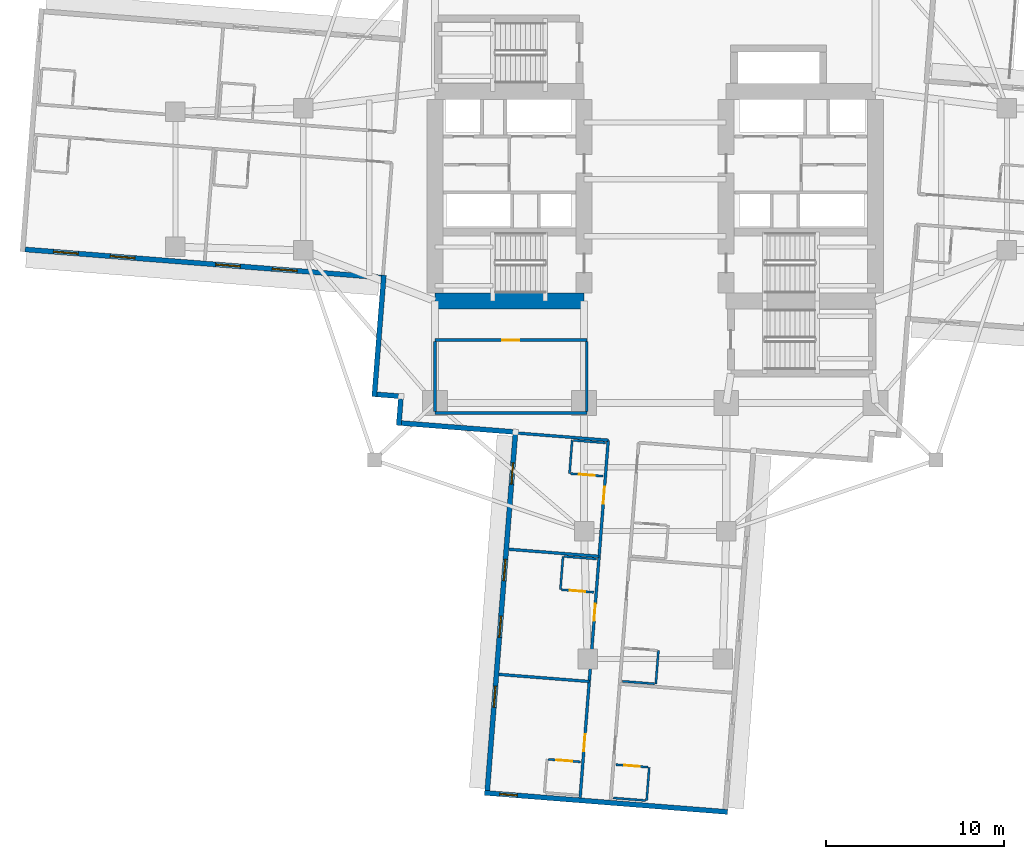
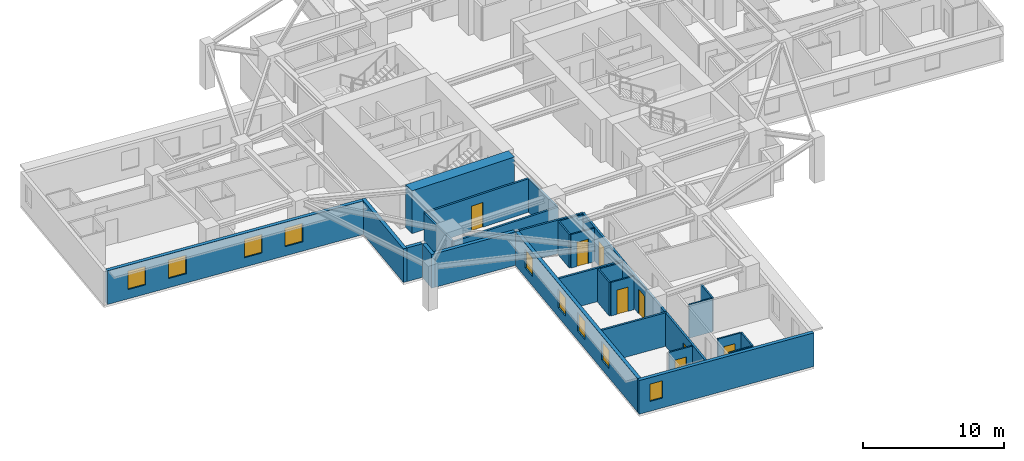
# One storey, part 3 of 14: 28 walls, 9 windows, 8 doors, 17 openings.
"""IFC4 building model written with IfcOpenShell, lengths in metres."""

import ifcopenshell
import ifcopenshell.guid

model = None  # the IFC model being written
_history = None  # IfcOwnerHistory: only IFC2X3 demands one
_inside = {}  # id of a spatial element -> (the spatial element, [elements in it])
_under = {}  # id of a project, library or spatial element -> (it, [spatial elements below it])
_declared = {}  # id of a project -> (the project, [libraries it declares])
_typed = {}  # id of a type object -> (the type object, [elements of that type])
_made_of = {}  # id of a material, layer set ... -> (it, [elements and type objects made of it])


def new_model(schema):
    """Start an empty IFC model of exactly this schema.

    Asked for "IFC4X3", IfcOpenShell would pick the latest addendum, in which some entities
    have other attributes; the version numbers below select the first issue.
    IFC2X3 requires an IfcOwnerHistory on every rooted entity: one is made here for all.
    """
    global model, _history
    if schema == "IFC4X3":
        model = ifcopenshell.file(schema_version=(4, 3, 0, 0))
    else:
        model = ifcopenshell.file(schema=schema)
    _inside.clear()
    _under.clear()
    _declared.clear()
    _typed.clear()
    _made_of.clear()
    _history = None
    if model.schema == "IFC2X3":
        org = make("IfcOrganization", Name="unknown")
        user = make(
            "IfcPersonAndOrganization",
            ThePerson=make("IfcPerson", FamilyName="unknown"),
            TheOrganization=org,
        )
        app = make(
            "IfcApplication",
            ApplicationDeveloper=org,
            Version="unknown",
            ApplicationFullName="unknown",
            ApplicationIdentifier="unknown",
        )
        _history = make(
            "IfcOwnerHistory",
            OwningUser=user,
            OwningApplication=app,
            ChangeAction="ADDED",
            CreationDate=0,
        )
    return model


def make(cls, **values):
    """One entity of the class cls with the attributes given. An attribute that is None is left unset."""
    return model.create_entity(
        cls, **{name: value for name, value in values.items() if value is not None}
    )


def rooted(cls, **values):
    """An entity with a GlobalId (a new one), such as an element, a storey or a relation."""
    return make(cls, GlobalId=ifcopenshell.guid.new(), OwnerHistory=_history, **values)


def si_unit(unit_type, name, prefix=None):
    """IfcSIUnit, for example si_unit("LENGTHUNIT", "METRE", prefix="MILLI")."""
    return make("IfcSIUnit", UnitType=unit_type, Prefix=prefix, Name=name)


def assignment(units):
    """IfcUnitAssignment: the units of a project."""
    return None if units is None else make("IfcUnitAssignment", Units=units)


def point(xyz):
    """IfcCartesianPoint."""
    return None if xyz is None else make("IfcCartesianPoint", Coordinates=xyz)


def direction(xyz):
    """IfcDirection."""
    return None if xyz is None else make("IfcDirection", DirectionRatios=xyz)


def frame(location, z_axis=None, x_axis=None):
    """IfcAxis2Placement3D, a coordinate frame: its origin and axes. An axis left out is left unset."""
    return make(
        "IfcAxis2Placement3D",
        Location=point(location),
        Axis=direction(z_axis),
        RefDirection=direction(x_axis),
    )


def frame_2d(location, x_axis=None):
    """IfcAxis2Placement2D, a coordinate frame in the plane: its origin and x axis."""
    return make(
        "IfcAxis2Placement2D", Location=point(location), RefDirection=direction(x_axis)
    )


def origin():
    """The frame at (0, 0, 0) with its axes left unset."""
    return frame((0.0, 0.0, 0.0))


def place(relative_to, where):
    """IfcLocalPlacement: puts the frame where relative to a parent placement (None: the world)."""
    return make(
        "IfcLocalPlacement", PlacementRelTo=relative_to, RelativePlacement=where
    )


def context(
    kind, dimensions, precision=None, world=None, true_north=None, identifier=None
):
    """IfcGeometricRepresentationContext, for example the 3D "Model" context."""
    return make(
        "IfcGeometricRepresentationContext",
        ContextIdentifier=identifier,
        ContextType=kind,
        CoordinateSpaceDimension=dimensions,
        Precision=precision,
        WorldCoordinateSystem=world,
        TrueNorth=true_north,
    )


def subcontext(parent, identifier, kind, view, scale=None):
    """IfcGeometricRepresentationSubContext, for example "Body" below "Model"."""
    return make(
        "IfcGeometricRepresentationSubContext",
        ContextIdentifier=identifier,
        ContextType=kind,
        ParentContext=parent,
        TargetScale=scale,
        TargetView=view,
    )


def project(units=None, contexts=None):
    """IfcProject with its units and contexts."""
    return rooted(
        "IfcProject",
        Name="project",
        RepresentationContexts=contexts,
        UnitsInContext=assignment(units),
    )


def spatial(cls, under=None, at=None, **own):
    """A site, building, storey or space (cls), placed at a placement, below another one or the project."""
    s = rooted(cls, ObjectPlacement=at, **own)
    if under is not None:
        _under.setdefault(under.id(), (under, []))[1].append(s)
    return s


def profile(cls, at=None, kind="AREA", **sizes):
    """A parametric profile (cls). Its sizes go by their IFC names, for example OverallWidth=200.0."""
    return make(cls, ProfileType=kind, Position=at, **sizes)


def rectangle(**sizes):
    """IfcRectangleProfileDef."""
    return profile("IfcRectangleProfileDef", **sizes)


def extrude(swept, where, along, depth):
    """IfcExtrudedAreaSolid: the profile swept, set in the frame where, extruded along a direction by depth."""
    return make(
        "IfcExtrudedAreaSolid",
        SweptArea=swept,
        Position=where,
        ExtrudedDirection=direction(along),
        Depth=depth,
    )


def shape(context_of_items, identifier, shape_type, items):
    """IfcShapeRepresentation: the items that make up one representation, for example the "Body"."""
    return make(
        "IfcShapeRepresentation",
        ContextOfItems=context_of_items,
        RepresentationIdentifier=identifier,
        RepresentationType=shape_type,
        Items=items,
    )


def material(Name=None, Category=None):
    """IfcMaterial."""
    return make("IfcMaterial", Name=Name, Category=Category)


def layer(
    of_material, thickness, ventilated=None, Name=None, Category=None, Priority=None
):
    """IfcMaterialLayer: one layer of a wall or slab, of a material (None: an air gap)."""
    return make(
        "IfcMaterialLayer",
        Material=of_material,
        LayerThickness=thickness,
        IsVentilated=ventilated,
        Name=Name,
        Category=Category,
        Priority=Priority,
    )


def layer_set(layers, Name=None):
    """IfcMaterialLayerSet."""
    return make("IfcMaterialLayerSet", MaterialLayers=layers, LayerSetName=Name)


def made_of(thing, what):
    """Note that an element or type object is made of a material, layer set ...; save() writes the relation."""
    if what is not None:
        _made_of.setdefault(what.id(), (what, []))[1].append(thing)
    return thing


def type_object(cls, material=None, **own):
    """A type object (cls), such as IfcWallType, which elements share."""
    return made_of(rooted(cls, **own), material)


def element(
    cls,
    number,
    at=None,
    inside=None,
    cuts=None,
    type_object=None,
    material=None,
    context=None,
    identifier="Body",
    shape_type=None,
    held_by="IfcProductDefinitionShape",
    body=None,
    shapes=None,
    **own,
):
    """One element of the class cls, such as IfcWall. Its Tag is "e" and its number.

    at: its placement. inside: the storey or other place that contains it. cuts: it is an
    opening in that element (IfcRelVoidsElement). A single representation is given by context,
    identifier, shape_type and body (its items); several are given by shapes. held_by: the class
    of the entity that holds the representations. save() writes the other relations.
    """
    e = rooted(cls, Tag="e%d" % number, ObjectPlacement=at, **own)
    if body is not None:
        shapes = [shape(context, identifier, shape_type, body)]
    if shapes is not None:
        e.Representation = make(held_by, Representations=shapes)
    if inside is not None:
        _inside.setdefault(inside.id(), (inside, []))[1].append(e)
    if cuts is not None:
        rooted(
            "IfcRelVoidsElement", RelatingBuildingElement=cuts, RelatedOpeningElement=e
        )
    if type_object is not None:
        _typed.setdefault(type_object.id(), (type_object, []))[1].append(e)
    return made_of(e, material)


def fill(opening, filler):
    """IfcRelFillsElement: the door or window that sits in an opening."""
    return rooted(
        "IfcRelFillsElement",
        RelatingOpeningElement=opening,
        RelatedBuildingElement=filler,
    )


def aggregate(whole, parts):
    """IfcRelAggregates: a whole, such as a stair, and the parts it consists of."""
    return rooted("IfcRelAggregates", RelatingObject=whole, RelatedObjects=parts)


def save(model, path):
    """Write the relations noted so far, then the file.

    IfcRelAggregates (storeys below a building ...), IfcRelContainedInSpatialStructure (elements
    in a storey), IfcRelDefinesByType, IfcRelAssociatesMaterial and IfcRelDeclares: one each for
    every whole, place, type object, material and project.
    """
    for whole, parts in _under.values():
        aggregate(whole, parts)
    for where, things in _inside.values():
        rooted(
            "IfcRelContainedInSpatialStructure",
            RelatedElements=things,
            RelatingStructure=where,
        )
    for kind, things in _typed.values():
        rooted("IfcRelDefinesByType", RelatedObjects=things, RelatingType=kind)
    for what, things in _made_of.values():
        rooted("IfcRelAssociatesMaterial", RelatedObjects=things, RelatingMaterial=what)
    for by, libraries in _declared.values():
        rooted("IfcRelDeclares", RelatingContext=by, RelatedDefinitions=libraries)
    model.write(path)


model = new_model("IFC4")

# Units and contexts
model_context = context("Model", 3, precision=1e-05, world=origin(), true_north=direction((0.0, 1.0)))
body_context = subcontext(model_context, "Body", "Model", "MODEL_VIEW")
ifc_project = project(units=[si_unit("LENGTHUNIT", "METRE"), si_unit("AREAUNIT", "SQUARE_METRE"), si_unit("VOLUMEUNIT", "CUBIC_METRE"), si_unit("PLANEANGLEUNIT", "RADIAN"), si_unit("MASSUNIT", "GRAM", prefix="KILO")], contexts=[model_context])

# Site, building, storey
site_placement = place(None, origin())
site = spatial("IfcSite", under=ifc_project, at=site_placement, CompositionType="ELEMENT")
building_placement = place(site_placement, origin())
building = spatial("IfcBuilding", under=site, at=building_placement, Name="Qingluan Cross Belvedere", CompositionType="ELEMENT")
storey_placement = place(building_placement, frame((0.0, 0.0, 83.39990234375)))
storey = spatial("IfcBuildingStorey", under=building, at=storey_placement, Name="L21", CompositionType="ELEMENT", Elevation=83.39990234375)

# Walls
ifc_material_1 = material(Name="Concrete C70", Category="concrete")
ifc_layer_1 = layer(ifc_material_1, 0.89990234375, Name="CoreShearWall_900")
ifc_layer_set_1 = layer_set([ifc_layer_1], Name="Concrete C70")
wall_type_1 = type_object("IfcWallType", Name="CoreShearWall_900", PredefinedType="SHEAR", material=ifc_layer_set_1)
wall_1_placement = place(storey_placement, frame((-12.39990234375, -6.85009765625, 0.0), z_axis=(0.0, 0.0, 1.0), x_axis=(1.0, 0.0, 0.0)))
element("IfcWall", 1, at=wall_1_placement, inside=storey, type_object=wall_type_1, Name="Split core W shear wall L21-S", PredefinedType="SHEAR", context=body_context, shape_type="SweptSolid", body=[
    extrude(rectangle(XDim=8.39990234375, YDim=0.89990234375, at=frame_2d((4.199951171875, 0.0))), origin(), (0.0, 0.0, 1.0), 3.7001953125),
])
ifc_material_2 = material(Name="Gypsum plasterboard on steel stud acoustic partition", Category="steel")
ifc_layer_2 = layer(ifc_material_2, 0.159912109375, Name="CorridorPartition_160")
ifc_layer_set_2 = layer_set([ifc_layer_2], Name="Gypsum plasterboard on steel stud acoustic partition")
wall_type_2 = type_object("IfcWallType", Name="CorridorPartition_160", PredefinedType="PARTITIONING", material=ifc_layer_set_2)
wall_2_placement = place(storey_placement, frame((-12.39990234375, -13.14990234375, 0.0), z_axis=(0.0, 0.0, 1.0), x_axis=(1.0, 0.0, 0.0)))
element("IfcWall", 2, at=wall_2_placement, inside=storey, type_object=wall_type_2, Name="Partition L21:q_sw:S", PredefinedType="PARTITIONING", context=body_context, shape_type="SweptSolid", body=[
    extrude(rectangle(XDim=8.5498046875, YDim=0.159912109375, at=frame_2d((4.27490234375, 0.0))), origin(), (0.0, 0.0, 1.0), 2.900146484375),
])

# Wall, opening, door
wall_3_placement = place(storey_placement, frame((-12.39990234375, -9.050048828125, 0.0), z_axis=(0.0, 0.0, 1.0), x_axis=(1.0, 0.0, 0.0)))
wall_3 = element("IfcWall", 3, at=wall_3_placement, inside=storey, type_object=wall_type_2, Name="Partition L21:q_sw:N", PredefinedType="PARTITIONING", context=body_context, shape_type="SweptSolid", body=[
    extrude(rectangle(XDim=8.5498046875, YDim=0.159912109375, at=frame_2d((4.27490234375, 0.0))), origin(), (0.0, 0.0, 1.0), 2.900146484375),
])
opening_1_placement = place(wall_3_placement, frame((3.794921875, 0.0, 0.0)))
opening_1 = element("IfcOpeningElement", 4, at=opening_1_placement, cuts=wall_3, Name="Opening GD-10", PredefinedType="OPENING", context=body_context, shape_type="SweptSolid", body=[
    extrude(rectangle(XDim=0.9599609375, YDim=2.14990234375, at=frame_2d((0.47998046875, 1.074951171875))), frame((0.0, 0.08984375, 0.0), z_axis=(0.0, -1.0, 0.0), x_axis=(1.0, 0.0, 0.0)), (0.0, 0.0, 1.0), 0.179931640625),
])
ifc_material_3 = material(Name="Timber oak fire-rated acoustic guestroom door", Category="wood")
door_type_1 = type_object("IfcDoorType", Name="GuestEntryDoor_FD60", OperationType="NOTDEFINED", PredefinedType="DOOR", material=ifc_material_3)
door_1_placement = place(opening_1_placement, origin())
door_1 = element("IfcDoor", 5, at=door_1_placement, inside=storey, type_object=door_type_1, Name="Calligraphy study room L21 door", OperationType="SINGLE_SWING_RIGHT", OverallHeight=2.14990234375, OverallWidth=0.9599609375, PredefinedType="DOOR", context=body_context, shape_type="SweptSolid", body=[
    extrude(rectangle(XDim=0.9599609375, YDim=2.14990234375, at=frame_2d((0.47998046875, 1.074951171875))), frame((0.0, 0.02490234375, 0.0), z_axis=(0.0, -1.0, 0.0), x_axis=(1.0, 0.0, 0.0)), (0.0, 0.0, 1.0), 0.050048828125),
])
fill(opening_1, door_1)

# Walls
for number, where, z_axis, x_axis, name in (
    (6, (-12.39990234375, -13.06494140625, 0.0), (0.0, 0.0, 1.0), (0.0, 1.0, 0.0), "Partition L21:q_sw:W"),
    (7, (-3.85009765625, -13.06494140625, 0.0), (0.0, 0.0, 1.0), (0.0, 1.0, 0.0), "Partition L21:q_sw:E"),
):
    element("IfcWall", number, at=place(storey_placement, frame(where, z_axis=z_axis, x_axis=x_axis)), inside=storey, type_object=wall_type_2, Name=name, PredefinedType="PARTITIONING", context=body_context, shape_type="SweptSolid", body=[
        extrude(rectangle(XDim=3.929931640625, YDim=0.159912109375, at=frame_2d((1.96484375, 0.0))), origin(), (0.0, 0.0, 1.0), 2.900146484375),
    ])

# Wall, openings, doors
wall_4_placement = place(storey_placement, frame((-2.640625, -14.68798828125, 0.0), z_axis=(0.0, 0.0, 1.0), x_axis=(-0.078460461943, -0.996917226209, 0.0)))
wall_4 = element("IfcWall", 8, at=wall_4_placement, inside=storey, type_object=wall_type_2, Name="Partition L21:S:c1", PredefinedType="PARTITIONING", context=body_context, shape_type="SweptSolid", body=[
    extrude(rectangle(XDim=20.18212890625, YDim=0.159912109375, at=frame_2d((10.091064453125, 0.0))), origin(), (0.0, 0.0, 1.0), 2.900146484375),
])
opening_2_placement = place(wall_4_placement, frame((2.635986328125, 0.0, 0.0)))
opening_2 = element("IfcOpeningElement", 9, at=opening_2_placement, cuts=wall_4, Name="Opening GD-10", PredefinedType="OPENING", context=body_context, shape_type="SweptSolid", body=[
    extrude(rectangle(XDim=0.9599609375, YDim=2.14990234375, at=frame_2d((0.47998046875, 1.074951171875))), frame((0.0, 0.08984375, 0.0), z_axis=(0.0, -1.0, 0.0), x_axis=(1.0, 0.0, 0.0)), (0.0, 0.0, 1.0), 0.179931640625),
])
opening_3_placement = place(wall_4_placement, frame((9.242919921875, 0.0, 0.0)))
opening_3 = element("IfcOpeningElement", 10, at=opening_3_placement, cuts=wall_4, Name="Opening GD-10", PredefinedType="OPENING", context=body_context, shape_type="SweptSolid", body=[
    extrude(rectangle(XDim=0.9599609375, YDim=2.14990234375, at=frame_2d((0.47998046875, 1.074951171875))), frame((0.0, 0.08984375, 0.0), z_axis=(0.0, -1.0, 0.0), x_axis=(1.0, 0.0, 0.0)), (0.0, 0.0, 1.0), 0.179931640625),
])
opening_4_placement = place(wall_4_placement, frame((16.611083984375, 0.0, 0.0)))
opening_4 = element("IfcOpeningElement", 11, at=opening_4_placement, cuts=wall_4, Name="Opening GD-10", PredefinedType="OPENING", context=body_context, shape_type="SweptSolid", body=[
    extrude(rectangle(XDim=0.9599609375, YDim=2.14990234375, at=frame_2d((0.47998046875, 1.074951171875))), frame((0.0, 0.08984375, 0.0), z_axis=(0.0, -1.0, 0.0), x_axis=(1.0, 0.0, 0.0)), (0.0, 0.0, 1.0), 0.179931640625),
])
door_2_placement = place(opening_2_placement, origin())
door_2 = element("IfcDoor", 12, at=door_2_placement, inside=storey, type_object=door_type_1, Name="Guest entry fire door 2116", OperationType="SINGLE_SWING_LEFT", OverallHeight=2.14990234375, OverallWidth=0.9599609375, PredefinedType="DOOR", context=body_context, shape_type="SweptSolid", body=[
    extrude(rectangle(XDim=0.9599609375, YDim=2.14990234375, at=frame_2d((0.47998046875, 1.074951171875))), frame((0.0, 0.02490234375, 0.0), z_axis=(0.0, -1.0, 0.0), x_axis=(1.0, 0.0, 0.0)), (0.0, 0.0, 1.0), 0.050048828125),
])
fill(opening_2, door_2)
door_3_placement = place(opening_3_placement, origin())
door_3 = element("IfcDoor", 13, at=door_3_placement, inside=storey, type_object=door_type_1, Name="Guest entry fire door 2117", OperationType="SINGLE_SWING_LEFT", OverallHeight=2.14990234375, OverallWidth=0.9599609375, PredefinedType="DOOR", context=body_context, shape_type="SweptSolid", body=[
    extrude(rectangle(XDim=0.9599609375, YDim=2.14990234375, at=frame_2d((0.47998046875, 1.074951171875))), frame((0.0, 0.02490234375, 0.0), z_axis=(0.0, -1.0, 0.0), x_axis=(1.0, 0.0, 0.0)), (0.0, 0.0, 1.0), 0.050048828125),
])
fill(opening_3, door_3)
door_4_placement = place(opening_4_placement, origin())
door_4 = element("IfcDoor", 14, at=door_4_placement, inside=storey, type_object=door_type_1, Name="Guest entry fire door 2118", OperationType="SINGLE_SWING_LEFT", OverallHeight=2.14990234375, OverallWidth=0.9599609375, PredefinedType="DOOR", context=body_context, shape_type="SweptSolid", body=[
    extrude(rectangle(XDim=0.9599609375, YDim=2.14990234375, at=frame_2d((0.47998046875, 1.074951171875))), frame((0.0, 0.02490234375, 0.0), z_axis=(0.0, -1.0, 0.0), x_axis=(1.0, 0.0, 0.0)), (0.0, 0.0, 1.0), 0.050048828125),
])
fill(opening_4, door_4)

# Walls
wall_5_placement = place(storey_placement, frame((-2.640625, -14.68798828125, 0.0), z_axis=(0.0, 0.0, 1.0), x_axis=(-0.996920905616, 0.078413697441, 0.0)))
element("IfcWall", 15, at=wall_5_placement, inside=storey, type_object=wall_type_2, Name="Partition L21:S:s1", PredefinedType="PARTITIONING", context=body_context, shape_type="SweptSolid", body=[
    extrude(rectangle(XDim=5.239990234375, YDim=0.159912109375, at=frame_2d((2.6201171875, 0.0))), origin(), (0.0, 0.0, 1.0), 2.900146484375),
])
for number, where, z_axis, x_axis, name in (
    (16, (-3.15478515625, -21.223876953125, 0.0), (0.0, 0.0, 1.0), (-0.996919000774, 0.078437911089, 0.0), "Partition L21:S:d1_0"),
    (17, (-3.709228515625, -28.26708984375, 0.0), (0.0, 0.0, 1.0), (-0.996919000774, 0.078437911089, 0.0), "Partition L21:S:d1_1"),
):
    element("IfcWall", number, at=place(storey_placement, frame(where, z_axis=z_axis, x_axis=x_axis)), inside=storey, type_object=wall_type_2, Name=name, PredefinedType="PARTITIONING", context=body_context, shape_type="SweptSolid", body=[
        extrude(rectangle(XDim=5.092041015625, YDim=0.159912109375, at=frame_2d((2.5458984375, 0.0))), origin(), (0.0, 0.0, 1.0), 2.900146484375),
    ])
ifc_material_4 = material(Name="Moisture-resistant gypsum board lining")
ifc_layer_3 = layer(ifc_material_4, 0.1201171875, Name="EnsuiteWetPartition_120")
ifc_layer_set_3 = layer_set([ifc_layer_3], Name="Moisture-resistant gypsum board lining")
wall_type_3 = type_object("IfcWallType", Name="EnsuiteWetPartition_120", PredefinedType="PARTITIONING", material=ifc_layer_set_3)
wall_6_placement = place(storey_placement, frame((-1.84228515625, -28.25341796875, 0.0), z_axis=(0.0, 0.0, 1.0), x_axis=(0.996915574626, -0.078481444107, 0.0)))
element("IfcWall", 18, at=wall_6_placement, inside=storey, type_object=wall_type_3, Name="Partition L21:S:bw0_1", PredefinedType="PARTITIONING", context=body_context, shape_type="SweptSolid", body=[
    extrude(rectangle(XDim=1.81982421875, YDim=0.1201171875, at=frame_2d((0.909912109375, 0.0))), origin(), (0.0, 0.0, 1.0), 2.900146484375),
])
wall_7_placement = place(storey_placement, frame((0.184326171875, -26.527099609375, 0.0), z_axis=(0.0, 0.0, 1.0), x_axis=(-0.07843418698, -0.996919293781, 0.0)))
element("IfcWall", 19, at=wall_7_placement, inside=storey, type_object=wall_type_3, Name="Partition L21:S:bn0_1", PredefinedType="PARTITIONING", context=body_context, shape_type="SweptSolid", body=[
    extrude(rectangle(XDim=1.880126953125, YDim=0.1201171875, at=frame_2d((0.93994140625, 0.0))), origin(), (0.0, 0.0, 1.0), 2.900146484375),
])

# Wall, opening, door
wall_8_placement = place(storey_placement, frame((-2.2119140625, -32.947998046875, 0.0), z_axis=(0.0, 0.0, 1.0), x_axis=(0.996916400774, -0.0784709492, 0.0)))
wall_8 = element("IfcWall", 20, at=wall_8_placement, inside=storey, type_object=wall_type_3, Name="Partition L21:S:bs0_2", PredefinedType="PARTITIONING", context=body_context, shape_type="SweptSolid", body=[
    extrude(rectangle(XDim=1.820068359375, YDim=0.1201171875, at=frame_2d((0.91015625, 0.0))), origin(), (0.0, 0.0, 1.0), 2.900146484375),
])
opening_5_placement = place(wall_8_placement, frame((0.469970703125, 0.0, 0.0)))
opening_5 = element("IfcOpeningElement", 21, at=opening_5_placement, cuts=wall_8, Name="Opening BD-09", PredefinedType="OPENING", context=body_context, shape_type="SweptSolid", body=[
    extrude(rectangle(XDim=0.8798828125, YDim=2.10009765625, at=frame_2d((0.43994140625, 1.050048828125))), frame((0.0, 0.070068359375, 0.0), z_axis=(0.0, -1.0, 0.0), x_axis=(1.0, 0.0, 0.0)), (0.0, 0.0, 1.0), 0.14013671875),
])
ifc_material_5 = material(Name="Moisture-sealed timber en-suite door", Category="wood")
door_type_2 = type_object("IfcDoorType", Name="BathroomDoor_880", OperationType="NOTDEFINED", PredefinedType="DOOR", material=ifc_material_5)
door_5_placement = place(opening_5_placement, origin())
door_5 = element("IfcDoor", 22, at=door_5_placement, inside=storey, type_object=door_type_2, Name="Bathroom door 2115", OperationType="SINGLE_SWING_RIGHT", OverallHeight=2.10009765625, OverallWidth=0.8798828125, PredefinedType="DOOR", context=body_context, shape_type="SweptSolid", body=[
    extrude(rectangle(XDim=0.8798828125, YDim=2.10009765625, at=frame_2d((0.43994140625, 1.050048828125))), frame((0.0, 0.02490234375, 0.0), z_axis=(0.0, -1.0, 0.0), x_axis=(1.0, 0.0, 0.0)), (0.0, 0.0, 1.0), 0.050048828125),
])
fill(opening_5, door_5)

# Walls
wall_9_placement = place(storey_placement, frame((-2.359375, -34.822265625, 0.0), z_axis=(0.0, 0.0, 1.0), x_axis=(0.996916400774, -0.0784709492, 0.0)))
element("IfcWall", 23, at=wall_9_placement, inside=storey, type_object=wall_type_3, Name="Partition L21:S:bw0_2", PredefinedType="PARTITIONING", context=body_context, shape_type="SweptSolid", body=[
    extrude(rectangle(XDim=1.820068359375, YDim=0.1201171875, at=frame_2d((0.91015625, 0.0))), origin(), (0.0, 0.0, 1.0), 2.900146484375),
])
wall_10_placement = place(storey_placement, frame((-0.332763671875, -33.095947265625, 0.0), z_axis=(0.0, 0.0, 1.0), x_axis=(-0.07843418698, -0.996919293781, 0.0)))
element("IfcWall", 24, at=wall_10_placement, inside=storey, type_object=wall_type_3, Name="Partition L21:S:bn0_2", PredefinedType="PARTITIONING", context=body_context, shape_type="SweptSolid", body=[
    extrude(rectangle(XDim=1.880126953125, YDim=0.1201171875, at=frame_2d((0.93994140625, 0.0))), origin(), (0.0, 0.0, 1.0), 2.900146484375),
])

# Wall, opening, door
wall_11_placement = place(storey_placement, frame((-4.754638671875, -16.568115234375, 0.0), z_axis=(0.0, 0.0, 1.0), x_axis=(0.996926885478, -0.078337634704, 0.0)))
wall_11 = element("IfcWall", 25, at=wall_11_placement, inside=storey, type_object=wall_type_3, Name="Partition L21:S:bs1_0", PredefinedType="PARTITIONING", context=body_context, shape_type="SweptSolid", body=[
    extrude(rectangle(XDim=1.820068359375, YDim=0.1201171875, at=frame_2d((0.91015625, 0.0))), origin(), (0.0, 0.0, 1.0), 2.900146484375),
])
opening_6_placement = place(wall_11_placement, frame((0.469970703125, 0.0, 0.0)))
opening_6 = element("IfcOpeningElement", 26, at=opening_6_placement, cuts=wall_11, Name="Opening BD-09", PredefinedType="OPENING", context=body_context, shape_type="SweptSolid", body=[
    extrude(rectangle(XDim=0.8798828125, YDim=2.10009765625, at=frame_2d((0.43994140625, 1.050048828125))), frame((0.0, 0.070068359375, 0.0), z_axis=(0.0, -1.0, 0.0), x_axis=(1.0, 0.0, 0.0)), (0.0, 0.0, 1.0), 0.14013671875),
])
door_6_placement = place(opening_6_placement, origin())
door_6 = element("IfcDoor", 27, at=door_6_placement, inside=storey, type_object=door_type_2, Name="Bathroom door 2116", OperationType="SINGLE_SWING_RIGHT", OverallHeight=2.10009765625, OverallWidth=0.8798828125, PredefinedType="DOOR", context=body_context, shape_type="SweptSolid", body=[
    extrude(rectangle(XDim=0.8798828125, YDim=2.10009765625, at=frame_2d((0.43994140625, 1.050048828125))), frame((0.0, 0.02490234375, 0.0), z_axis=(0.0, -1.0, 0.0), x_axis=(1.0, 0.0, 0.0)), (0.0, 0.0, 1.0), 0.050048828125),
])
fill(opening_6, door_6)

# Walls
wall_12_placement = place(storey_placement, frame((-4.607177734375, -14.69384765625, 0.0), z_axis=(0.0, 0.0, 1.0), x_axis=(0.996916400774, -0.0784709492, 0.0)))
element("IfcWall", 28, at=wall_12_placement, inside=storey, type_object=wall_type_3, Name="Partition L21:S:bw1_0", PredefinedType="PARTITIONING", context=body_context, shape_type="SweptSolid", body=[
    extrude(rectangle(XDim=1.820068359375, YDim=0.1201171875, at=frame_2d((0.91015625, 0.0))), origin(), (0.0, 0.0, 1.0), 2.900146484375),
])
wall_13_placement = place(storey_placement, frame((-4.671875, -14.688720703125, 0.0), z_axis=(0.0, 0.0, 1.0), x_axis=(-0.07843418698, -0.996919293781, 0.0)))
element("IfcWall", 29, at=wall_13_placement, inside=storey, type_object=wall_type_3, Name="Partition L21:S:bc1_0", PredefinedType="PARTITIONING", context=body_context, shape_type="SweptSolid", body=[
    extrude(rectangle(XDim=1.880126953125, YDim=0.1201171875, at=frame_2d((0.93994140625, 0.0))), origin(), (0.0, 0.0, 1.0), 2.900146484375),
])

# Wall, opening, door
wall_14_placement = place(storey_placement, frame((-5.268798828125, -23.103759765625, 0.0), z_axis=(0.0, 0.0, 1.0), x_axis=(0.996915574626, -0.078481444107, 0.0)))
wall_14 = element("IfcWall", 30, at=wall_14_placement, inside=storey, type_object=wall_type_3, Name="Partition L21:S:bs1_1", PredefinedType="PARTITIONING", context=body_context, shape_type="SweptSolid", body=[
    extrude(rectangle(XDim=1.81982421875, YDim=0.1201171875, at=frame_2d((0.909912109375, 0.0))), origin(), (0.0, 0.0, 1.0), 2.900146484375),
])
opening_7_placement = place(wall_14_placement, frame((0.469970703125, 0.0, 0.0)))
opening_7 = element("IfcOpeningElement", 31, at=opening_7_placement, cuts=wall_14, Name="Opening BD-09", PredefinedType="OPENING", context=body_context, shape_type="SweptSolid", body=[
    extrude(rectangle(XDim=0.8798828125, YDim=2.10009765625, at=frame_2d((0.43994140625, 1.050048828125))), frame((0.0, 0.070068359375, 0.0), z_axis=(0.0, -1.0, 0.0), x_axis=(1.0, 0.0, 0.0)), (0.0, 0.0, 1.0), 0.14013671875),
])
door_7_placement = place(opening_7_placement, origin())
door_7 = element("IfcDoor", 32, at=door_7_placement, inside=storey, type_object=door_type_2, Name="Bathroom door 2117", OperationType="SINGLE_SWING_RIGHT", OverallHeight=2.10009765625, OverallWidth=0.8798828125, PredefinedType="DOOR", context=body_context, shape_type="SweptSolid", body=[
    extrude(rectangle(XDim=0.8798828125, YDim=2.10009765625, at=frame_2d((0.43994140625, 1.050048828125))), frame((0.0, 0.02490234375, 0.0), z_axis=(0.0, -1.0, 0.0), x_axis=(1.0, 0.0, 0.0)), (0.0, 0.0, 1.0), 0.050048828125),
])
fill(opening_7, door_7)

# Walls
wall_15_placement = place(storey_placement, frame((-5.121337890625, -21.2294921875, 0.0), z_axis=(0.0, 0.0, 1.0), x_axis=(0.996915574626, -0.078481444107, 0.0)))
element("IfcWall", 33, at=wall_15_placement, inside=storey, type_object=wall_type_3, Name="Partition L21:S:bw1_1", PredefinedType="PARTITIONING", context=body_context, shape_type="SweptSolid", body=[
    extrude(rectangle(XDim=1.81982421875, YDim=0.1201171875, at=frame_2d((0.909912109375, 0.0))), origin(), (0.0, 0.0, 1.0), 2.900146484375),
])
wall_16_placement = place(storey_placement, frame((-5.186279296875, -21.224609375, 0.0), z_axis=(0.0, 0.0, 1.0), x_axis=(-0.078444342213, -0.99691849475, 0.0)))
element("IfcWall", 34, at=wall_16_placement, inside=storey, type_object=wall_type_3, Name="Partition L21:S:bc1_1", PredefinedType="PARTITIONING", context=body_context, shape_type="SweptSolid", body=[
    extrude(rectangle(XDim=1.8798828125, YDim=0.1201171875, at=frame_2d((0.93994140625, 0.0))), origin(), (0.0, 0.0, 1.0), 2.900146484375),
])

# Wall, opening, door
wall_17_placement = place(storey_placement, frame((-6.02001953125, -32.648193359375, 0.0), z_axis=(0.0, 0.0, 1.0), x_axis=(0.996915574626, -0.078481444107, 0.0)))
wall_17 = element("IfcWall", 35, at=wall_17_placement, inside=storey, type_object=wall_type_3, Name="Partition L21:S:bs1_2", PredefinedType="PARTITIONING", context=body_context, shape_type="SweptSolid", body=[
    extrude(rectangle(XDim=1.81982421875, YDim=0.1201171875, at=frame_2d((0.909912109375, 0.0))), origin(), (0.0, 0.0, 1.0), 2.900146484375),
])
opening_8_placement = place(wall_17_placement, frame((0.469970703125, 0.0, 0.0)))
opening_8 = element("IfcOpeningElement", 36, at=opening_8_placement, cuts=wall_17, Name="Opening BD-09", PredefinedType="OPENING", context=body_context, shape_type="SweptSolid", body=[
    extrude(rectangle(XDim=0.8798828125, YDim=2.10009765625, at=frame_2d((0.43994140625, 1.050048828125))), frame((0.0, 0.070068359375, 0.0), z_axis=(0.0, -1.0, 0.0), x_axis=(1.0, 0.0, 0.0)), (0.0, 0.0, 1.0), 0.14013671875),
])
door_8_placement = place(opening_8_placement, origin())
door_8 = element("IfcDoor", 37, at=door_8_placement, inside=storey, type_object=door_type_2, Name="Bathroom door 2118", OperationType="SINGLE_SWING_RIGHT", OverallHeight=2.10009765625, OverallWidth=0.8798828125, PredefinedType="DOOR", context=body_context, shape_type="SweptSolid", body=[
    extrude(rectangle(XDim=0.8798828125, YDim=2.10009765625, at=frame_2d((0.43994140625, 1.050048828125))), frame((0.0, 0.02490234375, 0.0), z_axis=(0.0, -1.0, 0.0), x_axis=(1.0, 0.0, 0.0)), (0.0, 0.0, 1.0), 0.050048828125),
])
fill(opening_8, door_8)

# Wall, openings, windows
ifc_material_6 = material(Name="Precast concrete C45", Category="concrete")
ifc_layer_4 = layer(ifc_material_6, 0.280029296875, Name="PrecastFacadeWall_280")
ifc_layer_set_4 = layer_set([ifc_layer_4], Name="Precast concrete C45")
wall_type_4 = type_object("IfcWallType", Name="PrecastFacadeWall_280", PredefinedType="STANDARD", material=ifc_layer_set_4)
wall_18_placement = place(storey_placement, frame((-35.459228515625, -3.9501953125, 0.0), z_axis=(0.0, 0.0, 1.0), x_axis=(0.996917828963, -0.078452802979, 0.0)))
wall_18 = element("IfcWall", 38, at=wall_18_placement, inside=storey, type_object=wall_type_4, Name="Facade wall L21-WB", PredefinedType="STANDARD", context=body_context, shape_type="SweptSolid", body=[
    extrude(rectangle(XDim=20.10009765625, YDim=0.280029296875, at=frame_2d((10.050048828125, 0.0))), origin(), (0.0, 0.0, 1.0), 2.91015625),
])
opening_9_placement = place(wall_18_placement, frame((1.60009765625, 0.0, 0.800048828125)))
opening_9 = element("IfcOpeningElement", 39, at=opening_9_placement, cuts=wall_18, Name="Opening W-01", PredefinedType="OPENING", context=body_context, shape_type="SweptSolid", body=[
    extrude(rectangle(XDim=1.39990234375, YDim=1.60009765625, at=frame_2d((0.699951171875, 0.800048828125))), frame((0.0, 0.14990234375, 0.0), z_axis=(0.0, -1.0, 0.0), x_axis=(1.0, 0.0, 0.0)), (0.0, 0.0, 1.0), 0.300048828125),
])
opening_10_placement = place(wall_18_placement, frame((4.800048828125, 0.0, 0.800048828125)))
opening_10 = element("IfcOpeningElement", 40, at=opening_10_placement, cuts=wall_18, Name="Opening W-01", PredefinedType="OPENING", context=body_context, shape_type="SweptSolid", body=[
    extrude(rectangle(XDim=1.39990234375, YDim=1.60009765625, at=frame_2d((0.699951171875, 0.800048828125))), frame((0.0, 0.14990234375, 0.0), z_axis=(0.0, -1.0, 0.0), x_axis=(1.0, 0.0, 0.0)), (0.0, 0.0, 1.0), 0.300048828125),
])
opening_11_placement = place(wall_18_placement, frame((10.75, 0.0, 0.800048828125)))
opening_11 = element("IfcOpeningElement", 41, at=opening_11_placement, cuts=wall_18, Name="Opening W-01", PredefinedType="OPENING", context=body_context, shape_type="SweptSolid", body=[
    extrude(rectangle(XDim=1.39990234375, YDim=1.60009765625, at=frame_2d((0.699951171875, 0.800048828125))), frame((0.0, 0.14990234375, 0.0), z_axis=(0.0, -1.0, 0.0), x_axis=(1.0, 0.0, 0.0)), (0.0, 0.0, 1.0), 0.300048828125),
])
opening_12_placement = place(wall_18_placement, frame((13.949951171875, 0.0, 0.800048828125)))
opening_12 = element("IfcOpeningElement", 42, at=opening_12_placement, cuts=wall_18, Name="Opening W-01", PredefinedType="OPENING", context=body_context, shape_type="SweptSolid", body=[
    extrude(rectangle(XDim=1.39990234375, YDim=1.60009765625, at=frame_2d((0.699951171875, 0.800048828125))), frame((0.0, 0.14990234375, 0.0), z_axis=(0.0, -1.0, 0.0), x_axis=(1.0, 0.0, 0.0)), (0.0, 0.0, 1.0), 0.300048828125),
])
ifc_material_7 = material(Name="Thermally broken triple Low-E glass in aluminium frame", Category="aluminium")
window_type_1 = type_object("IfcWindowType", Name="TriRibbonWin_1400x1600", PartitioningType="SINGLE_PANEL", PredefinedType="WINDOW", material=ifc_material_7)
window_1_placement = place(opening_9_placement, origin())
window_1 = element("IfcWindow", 43, at=window_1_placement, inside=storey, type_object=window_type_1, Name="Ribbon window L21-WB-1", OverallHeight=1.60009765625, OverallWidth=1.39990234375, PartitioningType="SINGLE_PANEL", PredefinedType="WINDOW", context=body_context, shape_type="SweptSolid", body=[
    extrude(rectangle(XDim=1.39990234375, YDim=1.60009765625, at=frame_2d((0.699951171875, 0.800048828125))), frame((0.0, 0.030029296875, 0.0), z_axis=(0.0, -1.0, 0.0), x_axis=(1.0, 0.0, 0.0)), (0.0, 0.0, 1.0), 0.06005859375),
])
fill(opening_9, window_1)
window_2_placement = place(opening_10_placement, origin())
window_2 = element("IfcWindow", 44, at=window_2_placement, inside=storey, type_object=window_type_1, Name="Ribbon window L21-WB-2", OverallHeight=1.60009765625, OverallWidth=1.39990234375, PartitioningType="SINGLE_PANEL", PredefinedType="WINDOW", context=body_context, shape_type="SweptSolid", body=[
    extrude(rectangle(XDim=1.39990234375, YDim=1.60009765625, at=frame_2d((0.699951171875, 0.800048828125))), frame((0.0, 0.030029296875, 0.0), z_axis=(0.0, -1.0, 0.0), x_axis=(1.0, 0.0, 0.0)), (0.0, 0.0, 1.0), 0.06005859375),
])
fill(opening_10, window_2)
window_3_placement = place(opening_11_placement, origin())
window_3 = element("IfcWindow", 45, at=window_3_placement, inside=storey, type_object=window_type_1, Name="Ribbon window L21-WB-3", OverallHeight=1.60009765625, OverallWidth=1.39990234375, PartitioningType="SINGLE_PANEL", PredefinedType="WINDOW", context=body_context, shape_type="SweptSolid", body=[
    extrude(rectangle(XDim=1.39990234375, YDim=1.60009765625, at=frame_2d((0.699951171875, 0.800048828125))), frame((0.0, 0.030029296875, 0.0), z_axis=(0.0, -1.0, 0.0), x_axis=(1.0, 0.0, 0.0)), (0.0, 0.0, 1.0), 0.06005859375),
])
fill(opening_11, window_3)
window_4_placement = place(opening_12_placement, origin())
window_4 = element("IfcWindow", 46, at=window_4_placement, inside=storey, type_object=window_type_1, Name="Ribbon window L21-WB-4", OverallHeight=1.60009765625, OverallWidth=1.39990234375, PartitioningType="SINGLE_PANEL", PredefinedType="WINDOW", context=body_context, shape_type="SweptSolid", body=[
    extrude(rectangle(XDim=1.39990234375, YDim=1.60009765625, at=frame_2d((0.699951171875, 0.800048828125))), frame((0.0, 0.030029296875, 0.0), z_axis=(0.0, -1.0, 0.0), x_axis=(1.0, 0.0, 0.0)), (0.0, 0.0, 1.0), 0.06005859375),
])
fill(opening_12, window_4)

wall_19_placement = place(storey_placement, frame((-7.87158203125, -14.36669921875, 0.0), z_axis=(0.0, 0.0, 1.0), x_axis=(-0.078452802979, -0.996917828963, 0.0)))
wall_19 = element("IfcWall", 47, at=wall_19_placement, inside=storey, type_object=wall_type_4, Name="Facade wall L21-SA", PredefinedType="STANDARD", context=body_context, shape_type="SweptSolid", body=[
    extrude(rectangle(XDim=20.10009765625, YDim=0.280029296875, at=frame_2d((10.050048828125, 0.0))), origin(), (0.0, 0.0, 1.0), 2.91015625),
])
opening_13_placement = place(wall_19_placement, frame((1.60009765625, 0.0, 0.800048828125)))
opening_13 = element("IfcOpeningElement", 48, at=opening_13_placement, cuts=wall_19, Name="Opening W-02", PredefinedType="OPENING", context=body_context, shape_type="SweptSolid", body=[
    extrude(rectangle(XDim=1.199951171875, YDim=1.60009765625, at=frame_2d((0.60009765625, 0.800048828125))), frame((0.0, 0.14990234375, 0.0), z_axis=(0.0, -1.0, 0.0), x_axis=(1.0, 0.0, 0.0)), (0.0, 0.0, 1.0), 0.300048828125),
])
opening_14_placement = place(wall_19_placement, frame((7.050048828125, 0.0, 0.800048828125)))
opening_14 = element("IfcOpeningElement", 49, at=opening_14_placement, cuts=wall_19, Name="Opening W-02", PredefinedType="OPENING", context=body_context, shape_type="SweptSolid", body=[
    extrude(rectangle(XDim=1.199951171875, YDim=1.60009765625, at=frame_2d((0.60009765625, 0.800048828125))), frame((0.0, 0.14990234375, 0.0), z_axis=(0.0, -1.0, 0.0), x_axis=(1.0, 0.0, 0.0)), (0.0, 0.0, 1.0), 0.300048828125),
])
opening_15_placement = place(wall_19_placement, frame((10.25, 0.0, 0.800048828125)))
opening_15 = element("IfcOpeningElement", 50, at=opening_15_placement, cuts=wall_19, Name="Opening W-02", PredefinedType="OPENING", context=body_context, shape_type="SweptSolid", body=[
    extrude(rectangle(XDim=1.199951171875, YDim=1.60009765625, at=frame_2d((0.60009765625, 0.800048828125))), frame((0.0, 0.14990234375, 0.0), z_axis=(0.0, -1.0, 0.0), x_axis=(1.0, 0.0, 0.0)), (0.0, 0.0, 1.0), 0.300048828125),
])
opening_16_placement = place(wall_19_placement, frame((14.199951171875, 0.0, 0.800048828125)))
opening_16 = element("IfcOpeningElement", 51, at=opening_16_placement, cuts=wall_19, Name="Opening W-02", PredefinedType="OPENING", context=body_context, shape_type="SweptSolid", body=[
    extrude(rectangle(XDim=1.199951171875, YDim=1.60009765625, at=frame_2d((0.60009765625, 0.800048828125))), frame((0.0, 0.14990234375, 0.0), z_axis=(0.0, -1.0, 0.0), x_axis=(1.0, 0.0, 0.0)), (0.0, 0.0, 1.0), 0.300048828125),
])
ifc_material_8 = material(Name="Thermally broken triple Low-E glass in aluminium frame", Category="aluminium")
window_type_2 = type_object("IfcWindowType", Name="TriRibbonWin_1200x1600", PartitioningType="SINGLE_PANEL", PredefinedType="WINDOW", material=ifc_material_8)
window_5_placement = place(opening_13_placement, origin())
window_5 = element("IfcWindow", 52, at=window_5_placement, inside=storey, type_object=window_type_2, Name="Ribbon window L21-SA-1", OverallHeight=1.60009765625, OverallWidth=1.199951171875, PartitioningType="SINGLE_PANEL", PredefinedType="WINDOW", context=body_context, shape_type="SweptSolid", body=[
    extrude(rectangle(XDim=1.199951171875, YDim=1.60009765625, at=frame_2d((0.60009765625, 0.800048828125))), frame((0.0, 0.030029296875, 0.0), z_axis=(0.0, -1.0, 0.0), x_axis=(1.0, 0.0, 0.0)), (0.0, 0.0, 1.0), 0.06005859375),
])
fill(opening_13, window_5)
window_6_placement = place(opening_14_placement, origin())
window_6 = element("IfcWindow", 53, at=window_6_placement, inside=storey, type_object=window_type_2, Name="Ribbon window L21-SA-2", OverallHeight=1.60009765625, OverallWidth=1.199951171875, PartitioningType="SINGLE_PANEL", PredefinedType="WINDOW", context=body_context, shape_type="SweptSolid", body=[
    extrude(rectangle(XDim=1.199951171875, YDim=1.60009765625, at=frame_2d((0.60009765625, 0.800048828125))), frame((0.0, 0.030029296875, 0.0), z_axis=(0.0, -1.0, 0.0), x_axis=(1.0, 0.0, 0.0)), (0.0, 0.0, 1.0), 0.06005859375),
])
fill(opening_14, window_6)
window_7_placement = place(opening_15_placement, origin())
window_7 = element("IfcWindow", 54, at=window_7_placement, inside=storey, type_object=window_type_2, Name="Ribbon window L21-SA-3", OverallHeight=1.60009765625, OverallWidth=1.199951171875, PartitioningType="SINGLE_PANEL", PredefinedType="WINDOW", context=body_context, shape_type="SweptSolid", body=[
    extrude(rectangle(XDim=1.199951171875, YDim=1.60009765625, at=frame_2d((0.60009765625, 0.800048828125))), frame((0.0, 0.030029296875, 0.0), z_axis=(0.0, -1.0, 0.0), x_axis=(1.0, 0.0, 0.0)), (0.0, 0.0, 1.0), 0.06005859375),
])
fill(opening_15, window_7)
window_8_placement = place(opening_16_placement, origin())
window_8 = element("IfcWindow", 55, at=window_8_placement, inside=storey, type_object=window_type_2, Name="Ribbon window L21-SA-4", OverallHeight=1.60009765625, OverallWidth=1.199951171875, PartitioningType="SINGLE_PANEL", PredefinedType="WINDOW", context=body_context, shape_type="SweptSolid", body=[
    extrude(rectangle(XDim=1.199951171875, YDim=1.60009765625, at=frame_2d((0.60009765625, 0.800048828125))), frame((0.0, 0.030029296875, 0.0), z_axis=(0.0, -1.0, 0.0), x_axis=(1.0, 0.0, 0.0)), (0.0, 0.0, 1.0), 0.06005859375),
])
fill(opening_16, window_8)

# Wall, opening, window
wall_20_placement = place(storey_placement, frame((-9.59912109375, -34.533203125, 0.0), z_axis=(0.0, 0.0, 1.0), x_axis=(0.996916198482, -0.078473519122, 0.0)))
wall_20 = element("IfcWall", 56, at=wall_20_placement, inside=storey, type_object=wall_type_4, Name="Arm tip precast facade wall L21-S", PredefinedType="STANDARD", context=body_context, shape_type="SweptSolid", body=[
    extrude(rectangle(XDim=13.719970703125, YDim=0.280029296875, at=frame_2d((6.85986328125, 0.0))), origin(), (0.0, 0.0, 1.0), 2.91015625),
])
opening_17_placement = place(wall_20_placement, frame((0.85009765625, 0.0, 0.85009765625)))
opening_17 = element("IfcOpeningElement", 57, at=opening_17_placement, cuts=wall_20, Name="Opening W-03", PredefinedType="OPENING", context=body_context, shape_type="SweptSolid", body=[
    extrude(rectangle(XDim=1.0, YDim=1.5, at=frame_2d((0.5, 0.75))), frame((0.0, 0.14990234375, 0.0), z_axis=(0.0, -1.0, 0.0), x_axis=(1.0, 0.0, 0.0)), (0.0, 0.0, 1.0), 0.300048828125),
])
ifc_material_9 = material(Name="Thermally broken triple Low-E glass in aluminium frame", Category="aluminium")
window_type_3 = type_object("IfcWindowType", Name="TriApexWin_1000x1500", PartitioningType="SINGLE_PANEL", PredefinedType="WINDOW", material=ifc_material_9)
window_9_placement = place(opening_17_placement, origin())
window_9 = element("IfcWindow", 58, at=window_9_placement, inside=storey, type_object=window_type_3, Name="Arm tip triangular window L21-S", OverallHeight=1.5, OverallWidth=1.0, PartitioningType="SINGLE_PANEL", PredefinedType="WINDOW", context=body_context, shape_type="SweptSolid", body=[
    extrude(rectangle(XDim=1.0, YDim=1.5, at=frame_2d((0.5, 0.75))), frame((0.0, 0.030029296875, 0.0), z_axis=(0.0, -1.0, 0.0), x_axis=(1.0, 0.0, 0.0)), (0.0, 0.0, 1.0), 0.06005859375),
])
fill(opening_17, window_9)

# Walls
wall_21_placement = place(storey_placement, frame((-15.2705078125, -5.3984375, 0.0), z_axis=(0.0, 0.0, 1.0), x_axis=(-0.078473519122, -0.996916198482, 0.0)))
element("IfcWall", 59, at=wall_21_placement, inside=storey, type_object=wall_type_4, Name="Corner wall L21-SW1", PredefinedType="STANDARD", context=body_context, shape_type="SweptSolid", body=[
    extrude(rectangle(XDim=6.860107421875, YDim=0.280029296875, at=frame_2d((3.43017578125, 0.0))), origin(), (0.0, 0.0, 1.0), 2.91015625),
])
wall_22_placement = place(storey_placement, frame((-15.658203125, -12.10888671875, 0.0), z_axis=(0.0, 0.0, 1.0), x_axis=(0.996917540398, -0.078456469752, 0.0)))
element("IfcWall", 60, at=wall_22_placement, inside=storey, type_object=wall_type_4, Name="Corner wall L21-SW2", PredefinedType="STANDARD", context=body_context, shape_type="SweptSolid", body=[
    extrude(rectangle(XDim=1.2197265625, YDim=0.280029296875, at=frame_2d((0.60986328125, 0.0))), origin(), (0.0, 0.0, 1.0), 2.91015625),
])
wall_23_placement = place(storey_placement, frame((-14.3134765625, -12.35498046875, 0.0), z_axis=(0.0, 0.0, 1.0), x_axis=(-0.078451338629, -0.9969179442, 0.0)))
element("IfcWall", 61, at=wall_23_placement, inside=storey, type_object=wall_type_4, Name="Corner wall L21-SW3", PredefinedType="STANDARD", context=body_context, shape_type="SweptSolid", body=[
    extrude(rectangle(XDim=1.5, YDim=0.280029296875, at=frame_2d((0.75, 0.0))), origin(), (0.0, 0.0, 1.0), 2.91015625),
])
wall_24_placement = place(storey_placement, frame((-14.280517578125, -13.721923828125, 0.0), z_axis=(0.0, 0.0, 1.0), x_axis=(0.99691915642, -0.078435932851, 0.0)))
element("IfcWall", 62, at=wall_24_placement, inside=storey, type_object=wall_type_4, Name="Corner wall L21-SW4", PredefinedType="STANDARD", context=body_context, shape_type="SweptSolid", body=[
    extrude(rectangle(XDim=6.2998046875, YDim=0.280029296875, at=frame_2d((3.14990234375, 0.0))), origin(), (0.0, 0.0, 1.0), 2.91015625),
])

save(model, "model.ifc")
